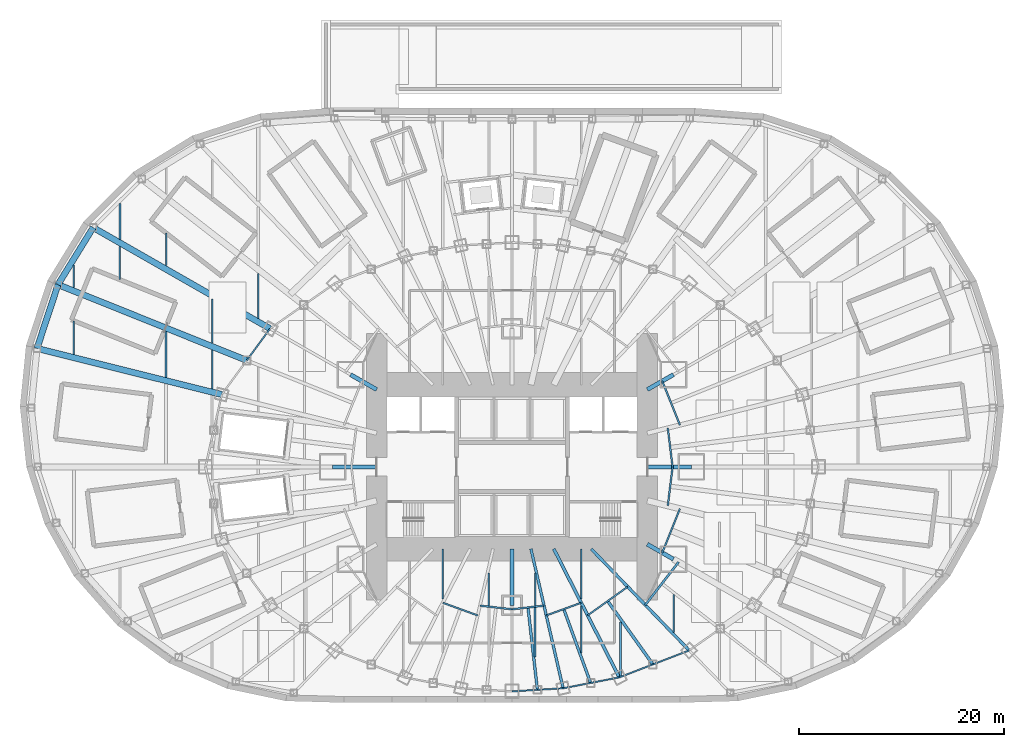
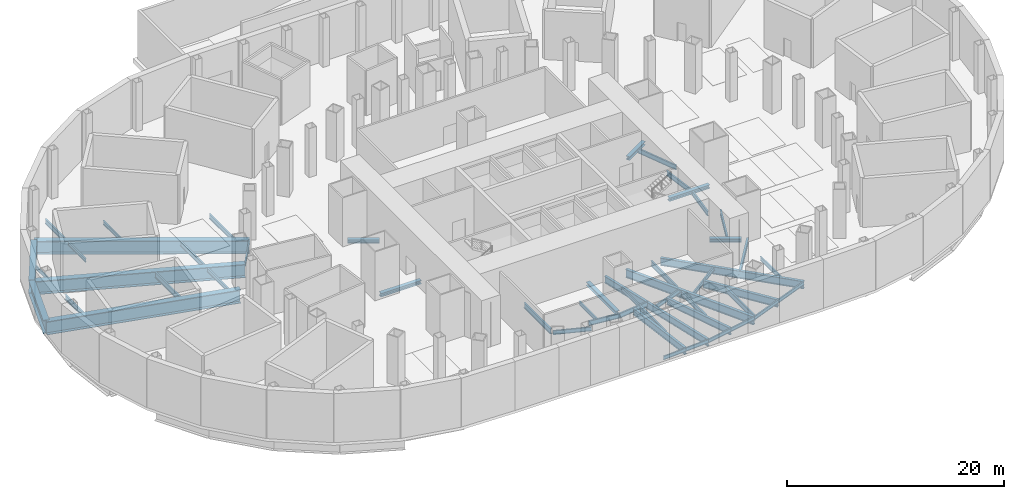
# One storey, part 4 of 19: 51 beams.
"""IFC4 building model written with IfcOpenShell, lengths in metres."""

from ifc_helpers import new_model, si_unit, direction, frame, origin, origin_2d, place, context, subcontext, project, spatial, i_section, extrude, material, material_profile, profile_set, type_object, element, save


model = new_model("IFC4")

# Units and contexts
model_context = context("Model", 3, precision=1e-05, world=origin(), true_north=direction((0.0, 1.0)))
body_context = subcontext(model_context, "Body", "Model", "MODEL_VIEW")
ifc_project = project(units=[si_unit("LENGTHUNIT", "METRE"), si_unit("AREAUNIT", "SQUARE_METRE"), si_unit("VOLUMEUNIT", "CUBIC_METRE"), si_unit("PLANEANGLEUNIT", "RADIAN"), si_unit("MASSUNIT", "GRAM", prefix="KILO")], contexts=[model_context])

# Site, building, storey
site_placement = place(None, origin())
site = spatial("IfcSite", under=ifc_project, at=site_placement, CompositionType="ELEMENT")
building_placement = place(site_placement, origin())
building = spatial("IfcBuilding", under=site, at=building_placement, Name="Lantaw Convention Tower", CompositionType="ELEMENT")
storey_placement = place(building_placement, frame((0.0, 0.0, -5.5)))
storey = spatial("IfcBuildingStorey", under=building, at=storey_placement, Name="B1", CompositionType="ELEMENT", Elevation=-5.5)

# Beams
ifc_material_1 = material(Name="Steel ASTM A572 Grade 50", Category="steel")
ifc_material_profile_1 = material_profile(ifc_material_1, i_section(OverallWidth=0.60009765625, OverallDepth=1.5, WebThickness=0.02490234375, FlangeThickness=0.06005859375, at=origin_2d()), Name="PG1500X600X25X60")
ifc_profile_set_1 = profile_set([ifc_material_profile_1], Name="Steel ASTM A572 Grade 50")
beam_type_1 = type_object("IfcBeamType", Name="Beam E PG1500X600X25X60", PredefinedType="SPANDREL", material=ifc_profile_set_1)
beam_1_placement = place(storey_placement, frame((-40.864013671875, 23.350830078125, -1.050048828125), z_axis=(-0.524178644867, -0.851608330317, 0.0), x_axis=(0.851608330317, -0.524178644867, 0.0)))
element("IfcBeam", 1, at=beam_1_placement, inside=storey, type_object=beam_type_1, Name="Podium edge beam R10", PredefinedType="SPANDREL", context=body_context, shape_type="SweptSolid", body=[
    extrude(i_section(OverallWidth=0.60009765625, OverallDepth=1.5, WebThickness=0.02490234375, FlangeThickness=0.06005859375, at=origin_2d()), origin(), (0.0, 0.0, 1.0), 6.54052734375),
])
beam_2_placement = place(storey_placement, frame((-44.29248046875, 17.78076171875, -1.050048828125), z_axis=(-0.312739573604, -0.949838912186, 0.0), x_axis=(0.949838912186, -0.312739573604, 0.0)))
element("IfcBeam", 2, at=beam_2_placement, inside=storey, type_object=beam_type_1, Name="Podium edge beam B10", PredefinedType="SPANDREL", context=body_context, shape_type="SweptSolid", body=[
    extrude(i_section(OverallWidth=0.60009765625, OverallDepth=1.5, WebThickness=0.02490234375, FlangeThickness=0.06005859375, at=origin_2d()), origin(), (0.0, 0.0, 1.0), 6.55517578125),
])
ifc_material_2 = material(Name="Steel ASTM A992", Category="steel")
ifc_material_profile_2 = material_profile(ifc_material_2, i_section(OverallWidth=0.140380859375, OverallDepth=0.40380859375, WebThickness=0.007080078125, FlangeThickness=0.01123046875, FilletRadius=0.01025390625, at=origin_2d()), Name="W16X31")
ifc_profile_set_2 = profile_set([ifc_material_profile_2], Name="Steel ASTM A992")
beam_type_2 = type_object("IfcBeamType", Name="Beam E W16X31", PredefinedType="SPANDREL", material=ifc_profile_set_2)
beam_3_placement = place(storey_placement, frame((-23.60498046875, 13.488525390625, -0.501953125), z_axis=(-0.591286566758, -0.806461527893, 0.0), x_axis=(0.806461527893, -0.591286566758, 0.0)))
element("IfcBeam", 3, at=beam_3_placement, inside=storey, type_object=beam_type_2, Name="Edge beam 11", PredefinedType="SPANDREL", context=body_context, shape_type="SweptSolid", body=[
    extrude(i_section(OverallWidth=0.140380859375, OverallDepth=0.40380859375, WebThickness=0.007080078125, FlangeThickness=0.01123046875, FilletRadius=0.01025390625, at=origin_2d()), origin(), (0.0, 0.0, 1.0), 3.843994140625),
])
beam_4_placement = place(storey_placement, frame((0.0, -21.89990234375, -0.501953125), z_axis=(0.998175328335, 0.060382231685, 0.0), x_axis=(-0.060382231685, 0.998175328335, 0.0)))
element("IfcBeam", 4, at=beam_4_placement, inside=storey, type_object=beam_type_2, Name="Edge beam 19", PredefinedType="SPANDREL", context=body_context, shape_type="SweptSolid", body=[
    extrude(i_section(OverallWidth=0.140380859375, OverallDepth=0.40380859375, WebThickness=0.007080078125, FlangeThickness=0.01123046875, FilletRadius=0.01025390625, at=origin_2d()), origin(), (0.0, 0.0, 1.0), 2.482666015625),
])
beam_5_placement = place(storey_placement, frame((2.47802734375, -21.75, -0.501953125), z_axis=(0.998172405641, 0.060430527186, 0.0), x_axis=(-0.060430527186, 0.998172405641, 0.0)))
element("IfcBeam", 5, at=beam_5_placement, inside=storey, type_object=beam_type_2, Name="Edge beam 19", PredefinedType="SPANDREL", context=body_context, shape_type="SweptSolid", body=[
    extrude(i_section(OverallWidth=0.140380859375, OverallDepth=0.40380859375, WebThickness=0.007080078125, FlangeThickness=0.01123046875, FilletRadius=0.01025390625, at=origin_2d()), origin(), (0.0, 0.0, 1.0), 2.512939453125),
])
beam_6_placement = place(storey_placement, frame((4.986328125, -21.59814453125, -0.501953125), z_axis=(0.981637218105, 0.190757364289, 0.0), x_axis=(-0.190757364289, 0.981637218105, 0.0)))
element("IfcBeam", 6, at=beam_6_placement, inside=storey, type_object=beam_type_2, Name="Edge beam 20", PredefinedType="SPANDREL", context=body_context, shape_type="SweptSolid", body=[
    extrude(i_section(OverallWidth=0.140380859375, OverallDepth=0.40380859375, WebThickness=0.007080078125, FlangeThickness=0.01123046875, FilletRadius=0.01025390625, at=origin_2d()), origin(), (0.0, 0.0, 1.0), 2.735107421875),
])
beam_7_placement = place(storey_placement, frame((7.671142578125, -21.076416015625, -0.501953125), z_axis=(0.98163593748, 0.190763954266, 0.0), x_axis=(-0.190763954266, 0.98163593748, 0.0)))
element("IfcBeam", 7, at=beam_7_placement, inside=storey, type_object=beam_type_2, Name="Edge beam 20", PredefinedType="SPANDREL", context=body_context, shape_type="SweptSolid", body=[
    extrude(i_section(OverallWidth=0.140380859375, OverallDepth=0.40380859375, WebThickness=0.007080078125, FlangeThickness=0.01123046875, FilletRadius=0.01025390625, at=origin_2d()), origin(), (0.0, 0.0, 1.0), 2.84375),
])
beam_8_placement = place(storey_placement, frame((10.462646484375, -20.533935546875, -0.501953125), z_axis=(0.933241815012, 0.359248820058, 0.0), x_axis=(-0.359248820058, 0.933241815012, 0.0)))
element("IfcBeam", 8, at=beam_8_placement, inside=storey, type_object=beam_type_2, Name="Edge beam 21", PredefinedType="SPANDREL", context=body_context, shape_type="SweptSolid", body=[
    extrude(i_section(OverallWidth=0.140380859375, OverallDepth=0.40380859375, WebThickness=0.007080078125, FlangeThickness=0.01123046875, FilletRadius=0.01025390625, at=origin_2d()), origin(), (0.0, 0.0, 1.0), 3.517578125),
])
beam_9_placement = place(storey_placement, frame((13.745361328125, -19.270263671875, -0.501953125), z_axis=(0.933224646415, 0.359293416754, 0.0), x_axis=(-0.359293416754, 0.933224646415, 0.0)))
element("IfcBeam", 9, at=beam_9_placement, inside=storey, type_object=beam_type_2, Name="Edge beam 21", PredefinedType="SPANDREL", context=body_context, shape_type="SweptSolid", body=[
    extrude(i_section(OverallWidth=0.140380859375, OverallDepth=0.40380859375, WebThickness=0.007080078125, FlangeThickness=0.01123046875, FilletRadius=0.01025390625, at=origin_2d()), origin(), (0.0, 0.0, 1.0), 3.799072265625),
])
ifc_material_profile_3 = material_profile(ifc_material_2, i_section(OverallWidth=0.2666015625, OverallDepth=0.7568359375, WebThickness=0.013916015625, FlangeThickness=0.019287109375, FilletRadius=0.0126953125, at=origin_2d()), Name="W30X108")
ifc_profile_set_3 = profile_set([ifc_material_profile_3], Name="Steel ASTM A992")
beam_type_3 = type_object("IfcBeamType", Name="Beam G W30X108", PredefinedType="BEAM", material=ifc_profile_set_3)
beam_10_placement = place(storey_placement, frame((1.5625, -13.713134765625, -0.678466796875), z_axis=(0.113183957156, -0.993574049501, 0.0), x_axis=(0.993574049501, 0.113183957156, 0.0)))
element("IfcBeam", 10, at=beam_10_placement, inside=storey, type_object=beam_type_3, Name="Floor girder on bisector 19", PredefinedType="BEAM", context=body_context, shape_type="SweptSolid", body=[
    extrude(i_section(OverallWidth=0.2666015625, OverallDepth=0.7568359375, WebThickness=0.013916015625, FlangeThickness=0.019287109375, FilletRadius=0.0126953125, at=origin_2d()), origin(), (0.0, 0.0, 1.0), 8.0888671875),
])
ifc_material_profile_4 = material_profile(ifc_material_2, i_section(OverallWidth=0.2666015625, OverallDepth=0.76953125, WebThickness=0.015625, FlangeThickness=0.025390625, FilletRadius=0.0126953125, at=origin_2d()), Name="W30X132")
ifc_profile_set_4 = profile_set([ifc_material_profile_4], Name="Steel ASTM A992")
beam_type_4 = type_object("IfcBeamType", Name="Beam G W30X132", PredefinedType="BEAM", material=ifc_profile_set_4)
beam_11_placement = place(storey_placement, frame((1.846923828125, -8.0, -0.684814453125), z_axis=(0.224952773175, -0.97436966796, 0.0), x_axis=(0.97436966796, 0.224952773175, 0.0)))
element("IfcBeam", 11, at=beam_11_placement, inside=storey, type_object=beam_type_4, Name="Floor girder on ray 20", PredefinedType="BEAM", context=body_context, shape_type="SweptSolid", body=[
    extrude(i_section(OverallWidth=0.2666015625, OverallDepth=0.76953125, WebThickness=0.015625, FlangeThickness=0.025390625, FilletRadius=0.0126953125, at=origin_2d()), origin(), (0.0, 0.0, 1.0), 13.955810546875),
])
beam_12_placement = place(storey_placement, frame((5.04931640625, -13.873046875, -0.684814453125), z_axis=(0.342021781151, -0.939692024664, 0.0), x_axis=(0.939692024664, 0.342021781151, 0.0)))
element("IfcBeam", 12, at=beam_12_placement, inside=storey, type_object=beam_type_4, Name="Floor girder on bisector 20", PredefinedType="BEAM", context=body_context, shape_type="SweptSolid", body=[
    extrude(i_section(OverallWidth=0.2666015625, OverallDepth=0.76953125, WebThickness=0.015625, FlangeThickness=0.025390625, FilletRadius=0.0126953125, at=origin_2d()), origin(), (0.0, 0.0, 1.0), 7.665771484375),
])
ifc_material_profile_5 = material_profile(ifc_material_2, i_section(OverallWidth=0.2919921875, OverallDepth=0.845703125, WebThickness=0.015380859375, FlangeThickness=0.0244140625, FilletRadius=0.01513671875, at=origin_2d()), Name="W33X141")
ifc_profile_set_5 = profile_set([ifc_material_profile_5], Name="Steel ASTM A992")
beam_type_5 = type_object("IfcBeamType", Name="Beam G W33X141", PredefinedType="BEAM", material=ifc_profile_set_5)
beam_13_placement = place(storey_placement, frame((9.335693359375, -13.088134765625, -0.722900390625), z_axis=(0.580702805158, -0.814115625745, 0.0), x_axis=(0.814115625745, 0.580702805158, 0.0)))
element("IfcBeam", 13, at=beam_13_placement, inside=storey, type_object=beam_type_5, Name="Floor girder on bisector 21", PredefinedType="BEAM", context=body_context, shape_type="SweptSolid", body=[
    extrude(i_section(OverallWidth=0.2919921875, OverallDepth=0.845703125, WebThickness=0.015380859375, FlangeThickness=0.0244140625, FilletRadius=0.01513671875, at=origin_2d()), origin(), (0.0, 0.0, 1.0), 7.59375),
])
beam_14_placement = place(storey_placement, frame((7.7255859375, -8.0, -0.722900390625), z_axis=(0.694649884291, -0.719347995239, 0.0), x_axis=(0.719347995239, 0.694649884291, 0.0)))
element("IfcBeam", 14, at=beam_14_placement, inside=storey, type_object=beam_type_5, Name="Floor girder on ray 22", PredefinedType="BEAM", context=body_context, shape_type="SweptSolid", body=[
    extrude(i_section(OverallWidth=0.2919921875, OverallDepth=0.845703125, WebThickness=0.015380859375, FlangeThickness=0.0244140625, FilletRadius=0.01513671875, at=origin_2d()), origin(), (0.0, 0.0, 1.0), 13.769775390625),
])
ifc_material_profile_6 = material_profile(ifc_material_2, i_section(OverallWidth=0.307373046875, OverallDepth=0.922119140625, WebThickness=0.018310546875, FlangeThickness=0.030029296875, FilletRadius=0.0126953125, at=origin_2d()), Name="W36X182")
ifc_profile_set_6 = profile_set([ifc_material_profile_6], Name="Steel ASTM A992")
beam_type_6 = type_object("IfcBeamType", Name="Beam G W36X182", PredefinedType="BEAM", material=ifc_profile_set_6)
beam_15_placement = place(storey_placement, frame((4.076171875, -8.0, -0.760986328125), z_axis=(0.453997016122, -0.891003203896, 0.0), x_axis=(0.891003203896, 0.453997016122, 0.0)))
element("IfcBeam", 15, at=beam_15_placement, inside=storey, type_object=beam_type_6, Name="Floor girder on ray 21", PredefinedType="BEAM", context=body_context, shape_type="SweptSolid", body=[
    extrude(i_section(OverallWidth=0.307373046875, OverallDepth=0.922119140625, WebThickness=0.018310546875, FlangeThickness=0.030029296875, FilletRadius=0.0126953125, at=origin_2d()), origin(), (0.0, 0.0, 1.0), 14.067138671875),
])
ifc_material_profile_7 = material_profile(ifc_material_2, i_section(OverallWidth=0.40380859375, OverallDepth=0.406494140625, WebThickness=0.027099609375, FlangeThickness=0.043701171875, FilletRadius=0.01513671875, at=origin_2d()), Name="W14X233")
ifc_profile_set_7 = profile_set([ifc_material_profile_7], Name="Steel ASTM A992")
beam_type_7 = type_object("IfcBeamType", Name="Beam GM W14X233", PredefinedType="BEAM", material=ifc_profile_set_7)
beam_16_placement = place(storey_placement, frame((13.199951171875, 0.0, -0.503173828125), z_axis=(1.0, 0.0, 0.0), x_axis=(0.0, 1.0, 0.0)))
element("IfcBeam", 16, at=beam_16_placement, inside=storey, type_object=beam_type_7, Name="Core link beam on ray 1", PredefinedType="BEAM", context=body_context, shape_type="SweptSolid", body=[
    extrude(i_section(OverallWidth=0.40380859375, OverallDepth=0.406494140625, WebThickness=0.027099609375, FlangeThickness=0.043701171875, FilletRadius=0.01513671875, at=origin_2d()), origin(), (0.0, 0.0, 1.0), 4.300048828125),
])
for number, where, z_axis, x_axis, name in (
    (17, (13.199951171875, 7.54296875, -0.503173828125), (0.868263603466, 0.496103129295, 0.0), (-0.496103129295, 0.868263603466, 0.0), "Core link beam on ray 3"),
    (18, (-13.199951171875, 7.54296875, -0.503173828125), (-0.868263603466, 0.496103129295, 0.0), (-0.496103129295, -0.868263603466, 0.0), "Core link beam on ray 11"),
):
    element("IfcBeam", number, at=place(storey_placement, frame(where, z_axis=z_axis, x_axis=x_axis)), inside=storey, type_object=beam_type_7, Name=name, PredefinedType="BEAM", context=body_context, shape_type="SweptSolid", body=[
        extrude(i_section(OverallWidth=0.40380859375, OverallDepth=0.406494140625, WebThickness=0.027099609375, FlangeThickness=0.043701171875, FilletRadius=0.01513671875, at=origin_2d()), origin(), (0.0, 0.0, 1.0), 2.93701171875),
    ])
beam_17_placement = place(storey_placement, frame((-13.199951171875, 0.0, -0.503173828125), z_axis=(-1.0, 0.0, 0.0), x_axis=(0.0, -1.0, 0.0)))
element("IfcBeam", 19, at=beam_17_placement, inside=storey, type_object=beam_type_7, Name="Core link beam on ray 13", PredefinedType="BEAM", context=body_context, shape_type="SweptSolid", body=[
    extrude(i_section(OverallWidth=0.40380859375, OverallDepth=0.406494140625, WebThickness=0.027099609375, FlangeThickness=0.043701171875, FilletRadius=0.01513671875, at=origin_2d()), origin(), (0.0, 0.0, 1.0), 4.300048828125),
])
beam_18_placement = place(storey_placement, frame((0.0, -8.0, -0.503173828125), z_axis=(0.0, -1.0, 0.0), x_axis=(1.0, 0.0, 0.0)))
element("IfcBeam", 20, at=beam_18_placement, inside=storey, type_object=beam_type_7, Name="Core link beam on ray 19", PredefinedType="BEAM", context=body_context, shape_type="SweptSolid", body=[
    extrude(i_section(OverallWidth=0.40380859375, OverallDepth=0.406494140625, WebThickness=0.027099609375, FlangeThickness=0.043701171875, FilletRadius=0.01513671875, at=origin_2d()), origin(), (0.0, 0.0, 1.0), 5.5),
])
beam_19_placement = place(storey_placement, frame((13.199951171875, -7.54296875, -0.503173828125), z_axis=(0.868263603466, -0.496103129295, 0.0), x_axis=(0.496103129295, 0.868263603466, 0.0)))
element("IfcBeam", 21, at=beam_19_placement, inside=storey, type_object=beam_type_7, Name="Core link beam on ray 23", PredefinedType="BEAM", context=body_context, shape_type="SweptSolid", body=[
    extrude(i_section(OverallWidth=0.40380859375, OverallDepth=0.406494140625, WebThickness=0.027099609375, FlangeThickness=0.043701171875, FilletRadius=0.01513671875, at=origin_2d()), origin(), (0.0, 0.0, 1.0), 2.93701171875),
])
ifc_material_profile_8 = material_profile(ifc_material_2, i_section(OverallWidth=0.15234375, OverallDepth=0.449462890625, WebThickness=0.007568359375, FlangeThickness=0.0107421875, FilletRadius=0.01025390625, at=origin_2d()), Name="W18X35")
ifc_profile_set_8 = profile_set([ifc_material_profile_8], Name="Steel ASTM A992")
beam_type_8 = type_object("IfcBeamType", Name="Beam HC W18X35", PredefinedType="BEAM", material=ifc_profile_set_8)
for number, where, z_axis, x_axis, name in (
    (22, (-6.752685546875, -13.253173828125, -0.52490234375), (0.939689171859, -0.342029619025, 0.0), (0.342029619025, 0.939689171859, 0.0), "Collar beam on bisector 17"),
    (23, (3.345947265625, -14.4931640625, -0.52490234375), (0.939689171859, 0.342029619025, 0.0), (-0.342029619025, 0.939689171859, 0.0), "Collar beam on bisector 20"),
):
    element("IfcBeam", number, at=place(storey_placement, frame(where, z_axis=z_axis, x_axis=x_axis)), inside=storey, type_object=beam_type_8, Name=name, PredefinedType="BEAM", context=body_context, shape_type="SweptSolid", body=[
        extrude(i_section(OverallWidth=0.15234375, OverallDepth=0.449462890625, WebThickness=0.007568359375, FlangeThickness=0.0107421875, FilletRadius=0.01025390625, at=origin_2d()), origin(), (0.0, 0.0, 1.0), 3.62548828125),
    ])
beam_20_placement = place(storey_placement, frame((7.379638671875, -14.4833984375, -0.52490234375), z_axis=(0.814110909588, 0.580709416912, 0.0), x_axis=(-0.580709416912, 0.814110909588, 0.0)))
element("IfcBeam", 24, at=beam_20_placement, inside=storey, type_object=beam_type_8, Name="Collar beam on bisector 21", PredefinedType="BEAM", context=body_context, shape_type="SweptSolid", body=[
    extrude(i_section(OverallWidth=0.15234375, OverallDepth=0.449462890625, WebThickness=0.007568359375, FlangeThickness=0.0107421875, FilletRadius=0.01025390625, at=origin_2d()), origin(), (0.0, 0.0, 1.0), 4.805419921875),
])
ifc_material_profile_9 = material_profile(ifc_material_2, i_section(OverallWidth=0.1650390625, OverallDepth=0.52587890625, WebThickness=0.0087890625, FlangeThickness=0.011474609375, FilletRadius=0.0126953125, at=origin_2d()), Name="W21X44")
ifc_profile_set_9 = profile_set([ifc_material_profile_9], Name="Steel ASTM A992")
beam_type_9 = type_object("IfcBeamType", Name="Beam HC W21X44", PredefinedType="BEAM", material=ifc_profile_set_9)
beam_21_placement = place(storey_placement, frame((15.666015625, 0.0, -0.56298828125), z_axis=(-0.121925556924, 0.992539247873, 0.0), x_axis=(-0.992539247873, -0.121925556924, 0.0)))
element("IfcBeam", 25, at=beam_21_placement, inside=storey, type_object=beam_type_9, Name="Collar beam on bisector 1", PredefinedType="BEAM", context=body_context, shape_type="SweptSolid", body=[
    extrude(i_section(OverallWidth=0.1650390625, OverallDepth=0.52587890625, WebThickness=0.0087890625, FlangeThickness=0.011474609375, FilletRadius=0.0126953125, at=origin_2d()), origin(), (0.0, 0.0, 1.0), 3.818603515625),
])
for number, where, z_axis, x_axis, name in (
    (26, (16.381591796875, 4.08447265625, -0.56298828125), (-0.372591792929, 0.927995342576, 0.0), (-0.927995342576, -0.372591792929, 0.0), "Collar beam on bisector 2"),
    (27, (14.658447265625, -8.376220703125, -0.56298828125), (0.372591792929, 0.927995342576, 0.0), (-0.927995342576, 0.372591792929, 0.0), "Collar beam on bisector 23"),
):
    element("IfcBeam", number, at=place(storey_placement, frame(where, z_axis=z_axis, x_axis=x_axis)), inside=storey, type_object=beam_type_9, Name=name, PredefinedType="BEAM", context=body_context, shape_type="SweptSolid", body=[
        extrude(i_section(OverallWidth=0.1650390625, OverallDepth=0.52587890625, WebThickness=0.0087890625, FlangeThickness=0.011474609375, FilletRadius=0.0126953125, at=origin_2d()), origin(), (0.0, 0.0, 1.0), 4.624755859375),
    ])
beam_22_placement = place(storey_placement, frame((15.200439453125, -3.7900390625, -0.56298828125), z_axis=(0.121925556924, 0.992539247873, 0.0), x_axis=(-0.992539247873, 0.121925556924, 0.0)))
element("IfcBeam", 28, at=beam_22_placement, inside=storey, type_object=beam_type_9, Name="Collar beam on bisector 24", PredefinedType="BEAM", context=body_context, shape_type="SweptSolid", body=[
    extrude(i_section(OverallWidth=0.1650390625, OverallDepth=0.52587890625, WebThickness=0.0087890625, FlangeThickness=0.011474609375, FilletRadius=0.0126953125, at=origin_2d()), origin(), (0.0, 0.0, 1.0), 3.818603515625),
])
ifc_material_profile_10 = material_profile(ifc_material_2, i_section(OverallWidth=0.165771484375, OverallDepth=0.5283203125, WebThickness=0.009765625, FlangeThickness=0.013671875, FilletRadius=0.012939453125, at=origin_2d()), Name="W21X50")
ifc_profile_set_10 = profile_set([ifc_material_profile_10], Name="Steel ASTM A992")
beam_type_10 = type_object("IfcBeamType", Name="Beam HC W21X50", PredefinedType="BEAM", material=ifc_profile_set_10)
for number, where, z_axis, x_axis, name in (
    (29, (-3.124755859375, -13.534912109375, -0.564208984375), (0.99356540907, -0.113259780595, 0.0), (0.113259780595, 0.99356540907, 0.0), "Collar beam on bisector 18"),
    (30, (0.0, -13.89111328125, -0.564208984375), (0.99356540907, 0.113259780595, 0.0), (-0.113259780595, 0.99356540907, 0.0), "Collar beam on bisector 19"),
):
    element("IfcBeam", number, at=place(storey_placement, frame(where, z_axis=z_axis, x_axis=x_axis)), inside=storey, type_object=beam_type_10, Name=name, PredefinedType="BEAM", context=body_context, shape_type="SweptSolid", body=[
        extrude(i_section(OverallWidth=0.165771484375, OverallDepth=0.5283203125, WebThickness=0.009765625, FlangeThickness=0.013671875, FilletRadius=0.012939453125, at=origin_2d()), origin(), (0.0, 0.0, 1.0), 3.14501953125),
    ])
ifc_material_profile_11 = material_profile(ifc_material_2, i_section(OverallWidth=0.2099609375, OverallDepth=0.535888671875, WebThickness=0.010986328125, FlangeThickness=0.017333984375, FilletRadius=0.012939453125, at=origin_2d()), Name="W21X68")
ifc_profile_set_11 = profile_set([ifc_material_profile_11], Name="Steel ASTM A992")
beam_type_11 = type_object("IfcBeamType", Name="Beam HC W21X68", PredefinedType="BEAM", material=ifc_profile_set_11)
beam_23_placement = place(storey_placement, frame((13.003662109375, -13.465576171875, -0.56787109375), z_axis=(0.613886325717, 0.789394438223, 0.0), x_axis=(-0.789394438223, 0.613886325717, 0.0)))
element("IfcBeam", 31, at=beam_23_placement, inside=storey, type_object=beam_type_11, Name="Collar beam on bisector 22", PredefinedType="BEAM", context=body_context, shape_type="SweptSolid", body=[
    extrude(i_section(OverallWidth=0.2099609375, OverallDepth=0.535888671875, WebThickness=0.010986328125, FlangeThickness=0.017333984375, FilletRadius=0.012939453125, at=origin_2d()), origin(), (0.0, 0.0, 1.0), 5.29296875),
])
ifc_material_profile_12 = material_profile(ifc_material_2, i_section(OverallWidth=0.140380859375, OverallDepth=0.40380859375, WebThickness=0.007080078125, FlangeThickness=0.01123046875, FilletRadius=0.01025390625, at=origin_2d()), Name="W16X31")
ifc_profile_set_12 = profile_set([ifc_material_profile_12], Name="Steel ASTM A992")
beam_type_12 = type_object("IfcBeamType", Name="Beam J W16X31", PredefinedType="JOIST", material=ifc_profile_set_12)
beam_24_placement = place(storey_placement, frame((-42.75, 17.48486328125, -0.501953125), z_axis=(0.0, 1.0, 0.0), x_axis=(-1.0, 0.0, 0.0)))
element("IfcBeam", 32, at=beam_24_placement, inside=storey, type_object=beam_type_12, Name="Floor joist", PredefinedType="JOIST", context=body_context, shape_type="SweptSolid", body=[
    extrude(i_section(OverallWidth=0.140380859375, OverallDepth=0.40380859375, WebThickness=0.007080078125, FlangeThickness=0.01123046875, FilletRadius=0.01025390625, at=origin_2d()), origin(), (0.0, 0.0, 1.0), 2.2294921875),
])
beam_25_placement = place(storey_placement, frame((-38.25, 18.264404296875, -0.501953125), z_axis=(0.0, 1.0, 0.0), x_axis=(-1.0, 0.0, 0.0)))
element("IfcBeam", 33, at=beam_25_placement, inside=storey, type_object=beam_type_12, Name="Floor joist", PredefinedType="JOIST", context=body_context, shape_type="SweptSolid", body=[
    extrude(i_section(OverallWidth=0.140380859375, OverallDepth=0.40380859375, WebThickness=0.007080078125, FlangeThickness=0.01123046875, FilletRadius=0.01025390625, at=origin_2d()), origin(), (0.0, 0.0, 1.0), 3.247314453125),
])
for number, where, z_axis, x_axis, name in (
    (34, (-2.25, -13.55126953125, -0.501953125), (0.0, 1.0, 0.0), (-1.0, 0.0, 0.0), "Floor joist"),
    (35, (2.25, -13.55126953125, -0.501953125), (0.0, 1.0, 0.0), (-1.0, 0.0, 0.0), "Floor joist"),
):
    element("IfcBeam", number, at=place(storey_placement, frame(where, z_axis=z_axis, x_axis=x_axis)), inside=storey, type_object=beam_type_12, Name=name, PredefinedType="JOIST", context=body_context, shape_type="SweptSolid", body=[
        extrude(i_section(OverallWidth=0.140380859375, OverallDepth=0.40380859375, WebThickness=0.007080078125, FlangeThickness=0.01123046875, FilletRadius=0.01025390625, at=origin_2d()), origin(), (0.0, 0.0, 1.0), 3.212646484375),
    ])
ifc_material_profile_13 = material_profile(ifc_material_2, i_section(OverallWidth=0.15234375, OverallDepth=0.449462890625, WebThickness=0.007568359375, FlangeThickness=0.0107421875, FilletRadius=0.01025390625, at=origin_2d()), Name="W18X35")
ifc_profile_set_13 = profile_set([ifc_material_profile_13], Name="Steel ASTM A992")
beam_type_13 = type_object("IfcBeamType", Name="Beam J W18X35", PredefinedType="JOIST", material=ifc_profile_set_13)
beam_26_placement = place(storey_placement, frame((-33.75, 19.63134765625, -0.52490234375), z_axis=(0.0, 1.0, 0.0), x_axis=(-1.0, 0.0, 0.0)))
element("IfcBeam", 36, at=beam_26_placement, inside=storey, type_object=beam_type_13, Name="Floor joist", PredefinedType="JOIST", context=body_context, shape_type="SweptSolid", body=[
    extrude(i_section(OverallWidth=0.15234375, OverallDepth=0.449462890625, WebThickness=0.007568359375, FlangeThickness=0.0107421875, FilletRadius=0.01025390625, at=origin_2d()), origin(), (0.0, 0.0, 1.0), 3.19580078125),
])
beam_27_placement = place(storey_placement, frame((-29.25, 7.60205078125, -0.52490234375), z_axis=(0.0, 1.0, 0.0), x_axis=(-1.0, 0.0, 0.0)))
element("IfcBeam", 37, at=beam_27_placement, inside=storey, type_object=beam_type_13, Name="Floor joist", PredefinedType="JOIST", context=body_context, shape_type="SweptSolid", body=[
    extrude(i_section(OverallWidth=0.15234375, OverallDepth=0.449462890625, WebThickness=0.007568359375, FlangeThickness=0.0107421875, FilletRadius=0.01025390625, at=origin_2d()), origin(), (0.0, 0.0, 1.0), 3.81689453125),
])
beam_28_placement = place(storey_placement, frame((15.800048828125, -16.151123046875, -0.52490234375), z_axis=(0.0, 1.0, 0.0), x_axis=(-1.0, 0.0, 0.0)))
element("IfcBeam", 38, at=beam_28_placement, inside=storey, type_object=beam_type_13, Name="Floor joist", PredefinedType="JOIST", context=body_context, shape_type="SweptSolid", body=[
    extrude(i_section(OverallWidth=0.15234375, OverallDepth=0.449462890625, WebThickness=0.007568359375, FlangeThickness=0.0107421875, FilletRadius=0.01025390625, at=origin_2d()), origin(), (0.0, 0.0, 1.0), 3.6943359375),
])
ifc_material_profile_14 = material_profile(ifc_material_2, i_section(OverallWidth=0.1650390625, OverallDepth=0.52587890625, WebThickness=0.0087890625, FlangeThickness=0.011474609375, FilletRadius=0.0126953125, at=origin_2d()), Name="W21X44")
ifc_profile_set_14 = profile_set([ifc_material_profile_14], Name="Steel ASTM A992")
beam_type_14 = type_object("IfcBeamType", Name="Beam J W21X44", PredefinedType="JOIST", material=ifc_profile_set_14)
beam_29_placement = place(storey_placement, frame((-42.75, 10.968017578125, -0.56298828125), z_axis=(0.0, 1.0, 0.0), x_axis=(-1.0, 0.0, 0.0)))
element("IfcBeam", 39, at=beam_29_placement, inside=storey, type_object=beam_type_14, Name="Floor joist", PredefinedType="JOIST", context=body_context, shape_type="SweptSolid", body=[
    extrude(i_section(OverallWidth=0.1650390625, OverallDepth=0.52587890625, WebThickness=0.0087890625, FlangeThickness=0.011474609375, FilletRadius=0.0126953125, at=origin_2d()), origin(), (0.0, 0.0, 1.0), 3.2841796875),
])
beam_30_placement = place(storey_placement, frame((-38.25, 22.20263671875, -0.56298828125), z_axis=(0.0, 1.0, 0.0), x_axis=(-1.0, 0.0, 0.0)))
element("IfcBeam", 40, at=beam_30_placement, inside=storey, type_object=beam_type_14, Name="Floor joist", PredefinedType="JOIST", context=body_context, shape_type="SweptSolid", body=[
    extrude(i_section(OverallWidth=0.1650390625, OverallDepth=0.52587890625, WebThickness=0.0087890625, FlangeThickness=0.011474609375, FilletRadius=0.0126953125, at=origin_2d()), origin(), (0.0, 0.0, 1.0), 3.518798828125),
])
beam_31_placement = place(storey_placement, frame((-29.25, 12.0654296875, -0.56298828125), z_axis=(0.0, 1.0, 0.0), x_axis=(-1.0, 0.0, 0.0)))
element("IfcBeam", 41, at=beam_31_placement, inside=storey, type_object=beam_type_14, Name="Floor joist", PredefinedType="JOIST", context=body_context, shape_type="SweptSolid", body=[
    extrude(i_section(OverallWidth=0.1650390625, OverallDepth=0.52587890625, WebThickness=0.0087890625, FlangeThickness=0.011474609375, FilletRadius=0.0126953125, at=origin_2d()), origin(), (0.0, 0.0, 1.0), 4.30322265625),
])
beam_32_placement = place(storey_placement, frame((-24.75, 14.48828125, -0.56298828125), z_axis=(0.0, 1.0, 0.0), x_axis=(-1.0, 0.0, 0.0)))
element("IfcBeam", 42, at=beam_32_placement, inside=storey, type_object=beam_type_14, Name="Floor joist", PredefinedType="JOIST", context=body_context, shape_type="SweptSolid", body=[
    extrude(i_section(OverallWidth=0.1650390625, OverallDepth=0.52587890625, WebThickness=0.0087890625, FlangeThickness=0.011474609375, FilletRadius=0.0126953125, at=origin_2d()), origin(), (0.0, 0.0, 1.0), 4.3798828125),
])
beam_33_placement = place(storey_placement, frame((6.75, -18.155517578125, -0.56298828125), z_axis=(0.0, 1.0, 0.0), x_axis=(-1.0, 0.0, 0.0)))
element("IfcBeam", 43, at=beam_33_placement, inside=storey, type_object=beam_type_14, Name="Floor joist", PredefinedType="JOIST", context=body_context, shape_type="SweptSolid", body=[
    extrude(i_section(OverallWidth=0.1650390625, OverallDepth=0.52587890625, WebThickness=0.0087890625, FlangeThickness=0.011474609375, FilletRadius=0.0126953125, at=origin_2d()), origin(), (0.0, 0.0, 1.0), 4.56298828125),
])
ifc_material_profile_15 = material_profile(ifc_material_2, i_section(OverallWidth=0.177978515625, OverallDepth=0.599365234375, WebThickness=0.010009765625, FlangeThickness=0.012939453125, FilletRadius=0.012939453125, at=origin_2d()), Name="W24X55")
ifc_profile_set_15 = profile_set([ifc_material_profile_15], Name="Steel ASTM A992")
beam_type_15 = type_object("IfcBeamType", Name="Beam J W24X55", PredefinedType="JOIST", material=ifc_profile_set_15)
beam_34_placement = place(storey_placement, frame((-33.75, 8.72412109375, -0.599609375), z_axis=(0.0, 1.0, 0.0), x_axis=(-1.0, 0.0, 0.0)))
element("IfcBeam", 44, at=beam_34_placement, inside=storey, type_object=beam_type_15, Name="Floor joist", PredefinedType="JOIST", context=body_context, shape_type="SweptSolid", body=[
    extrude(i_section(OverallWidth=0.177978515625, OverallDepth=0.599365234375, WebThickness=0.010009765625, FlangeThickness=0.012939453125, FilletRadius=0.012939453125, at=origin_2d()), origin(), (0.0, 0.0, 1.0), 4.501220703125),
])
beam_35_placement = place(storey_placement, frame((-6.75, -12.9091796875, -0.599609375), z_axis=(0.0, 1.0, 0.0), x_axis=(-1.0, 0.0, 0.0)))
element("IfcBeam", 45, at=beam_35_placement, inside=storey, type_object=beam_type_15, Name="Floor joist", PredefinedType="JOIST", context=body_context, shape_type="SweptSolid", body=[
    extrude(i_section(OverallWidth=0.177978515625, OverallDepth=0.599365234375, WebThickness=0.010009765625, FlangeThickness=0.012939453125, FilletRadius=0.012939453125, at=origin_2d()), origin(), (0.0, 0.0, 1.0), 4.9091796875),
])
beam_36_placement = place(storey_placement, frame((2.25, -18.570068359375, -0.599609375), z_axis=(0.0, 1.0, 0.0), x_axis=(-1.0, 0.0, 0.0)))
element("IfcBeam", 46, at=beam_36_placement, inside=storey, type_object=beam_type_15, Name="Floor joist", PredefinedType="JOIST", context=body_context, shape_type="SweptSolid", body=[
    extrude(i_section(OverallWidth=0.177978515625, OverallDepth=0.599365234375, WebThickness=0.010009765625, FlangeThickness=0.012939453125, FilletRadius=0.012939453125, at=origin_2d()), origin(), (0.0, 0.0, 1.0), 4.851806640625),
])
beam_37_placement = place(storey_placement, frame((6.75, -12.9091796875, -0.599609375), z_axis=(0.0, 1.0, 0.0), x_axis=(-1.0, 0.0, 0.0)))
element("IfcBeam", 47, at=beam_37_placement, inside=storey, type_object=beam_type_15, Name="Floor joist", PredefinedType="JOIST", context=body_context, shape_type="SweptSolid", body=[
    extrude(i_section(OverallWidth=0.177978515625, OverallDepth=0.599365234375, WebThickness=0.010009765625, FlangeThickness=0.012939453125, FilletRadius=0.012939453125, at=origin_2d()), origin(), (0.0, 0.0, 1.0), 4.9091796875),
])
beam_38_placement = place(storey_placement, frame((10.60009765625, -20.40576171875, -0.599609375), z_axis=(0.0, 1.0, 0.0), x_axis=(-1.0, 0.0, 0.0)))
element("IfcBeam", 48, at=beam_38_placement, inside=storey, type_object=beam_type_15, Name="Floor joist", PredefinedType="JOIST", context=body_context, shape_type="SweptSolid", body=[
    extrude(i_section(OverallWidth=0.177978515625, OverallDepth=0.599365234375, WebThickness=0.010009765625, FlangeThickness=0.012939453125, FilletRadius=0.012939453125, at=origin_2d()), origin(), (0.0, 0.0, 1.0), 5.293701171875),
])
ifc_material_profile_16 = material_profile(ifc_material_1, i_section(OverallWidth=0.60009765625, OverallDepth=1.5, WebThickness=0.02490234375, FlangeThickness=0.06005859375, at=origin_2d()), Name="PG1500X600X25X60")
ifc_profile_set_16 = profile_set([ifc_material_profile_16], Name="Steel ASTM A572 Grade 50")
beam_type_16 = type_object("IfcBeamType", Name="Beam PG PG1500X600X25X60", PredefinedType="BEAM", material=ifc_profile_set_16)
beam_39_placement = place(storey_placement, frame((-23.60498046875, 13.488525390625, -1.050048828125), z_axis=(-0.868243142124, 0.496138938357, 0.0), x_axis=(-0.496138938357, -0.868243142124, 0.0)))
element("IfcBeam", 49, at=beam_39_placement, inside=storey, type_object=beam_type_16, Name="Podium girder PR11", PredefinedType="BEAM", context=body_context, shape_type="SweptSolid", body=[
    extrude(i_section(OverallWidth=0.60009765625, OverallDepth=1.5, WebThickness=0.02490234375, FlangeThickness=0.06005859375, at=origin_2d()), origin(), (0.0, 0.0, 1.0), 19.878173828125),
])
beam_40_placement = place(storey_placement, frame((-28.31787109375, 7.060302734375, -1.050048828125), z_axis=(-0.970294606785, 0.24192638559, 0.0), x_axis=(-0.24192638559, -0.970294606785, 0.0)))
element("IfcBeam", 50, at=beam_40_placement, inside=storey, type_object=beam_type_16, Name="Podium girder PR12", PredefinedType="BEAM", context=body_context, shape_type="SweptSolid", body=[
    extrude(i_section(OverallWidth=0.60009765625, OverallDepth=1.5, WebThickness=0.02490234375, FlangeThickness=0.06005859375, at=origin_2d()), origin(), (0.0, 0.0, 1.0), 18.576416015625),
])
beam_41_placement = place(storey_placement, frame((-25.8779296875, 10.388427734375, -1.050048828125), z_axis=(-0.928015225832, 0.372542266897, 0.0), x_axis=(-0.372542266897, -0.928015225832, 0.0)))
element("IfcBeam", 51, at=beam_41_placement, inside=storey, type_object=beam_type_16, Name="Podium girder PB11", PredefinedType="BEAM", context=body_context, shape_type="SweptSolid", body=[
    extrude(i_section(OverallWidth=0.60009765625, OverallDepth=1.5, WebThickness=0.02490234375, FlangeThickness=0.06005859375, at=origin_2d()), origin(), (0.0, 0.0, 1.0), 19.843017578125),
])

save(model, "model.ifc")
